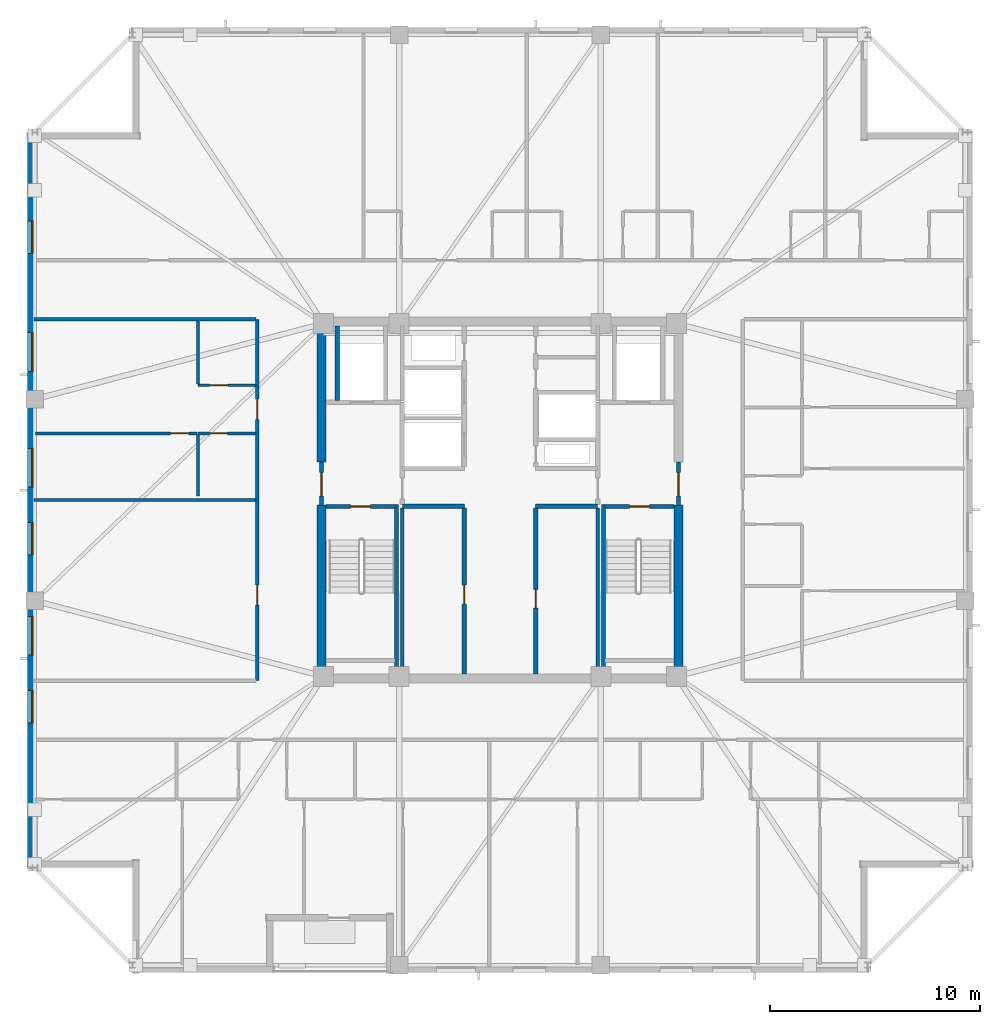
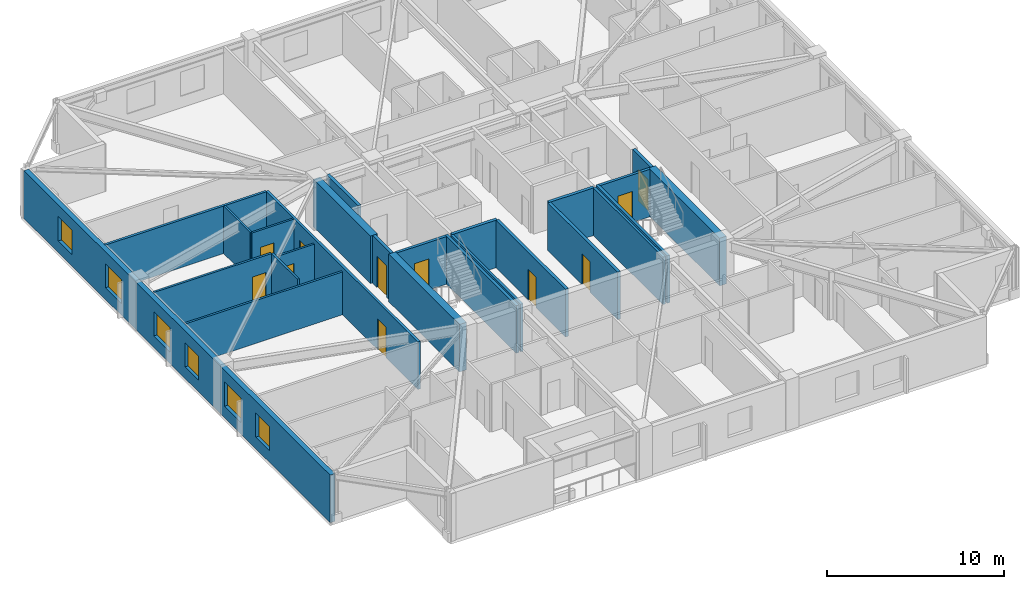
# One storey, part 8 of 15: 25 walls, 11 doors, 6 windows, 17 openings.
"""IFC4 building model written with IfcOpenShell, lengths in metres."""

from ifc_helpers import new_model, si_unit, direction, frame, frame_2d, origin, place, context, subcontext, project, spatial, rectangle, extrude, material, layer, layer_set, type_object, element, fill, save


model = new_model("IFC4")

# Units and contexts
model_context = context("Model", 3, precision=1e-05, world=origin(), true_north=direction((0.0, 1.0)))
body_context = subcontext(model_context, "Body", "Model", "MODEL_VIEW")
ifc_project = project(units=[si_unit("LENGTHUNIT", "METRE"), si_unit("AREAUNIT", "SQUARE_METRE"), si_unit("VOLUMEUNIT", "CUBIC_METRE"), si_unit("PLANEANGLEUNIT", "RADIAN"), si_unit("MASSUNIT", "GRAM", prefix="KILO")], contexts=[model_context])

# Site, building, storey
site_placement = place(None, origin())
site = spatial("IfcSite", under=ifc_project, at=site_placement, CompositionType="ELEMENT")
building_placement = place(site_placement, origin())
building = spatial("IfcBuilding", under=site, at=building_placement, Name="Cairnveth Concourse Tower", CompositionType="ELEMENT")
storey_placement = place(building_placement, frame((0.0, 0.0, 265.5)))
storey = spatial("IfcBuildingStorey", under=building, at=storey_placement, Name="L73", CompositionType="ELEMENT", Elevation=265.5)

# Walls
ifc_material_1 = material(Name="Gypsum Plasterboard Partition", Category="gypsum")
ifc_layer_1 = layer(ifc_material_1, 0.159912109375)
ifc_layer_set_1 = layer_set([ifc_layer_1], Name="Gypsum Plasterboard Partition")
wall_type_1 = type_object("IfcWallType", Name="ACOUSTIC PARTY WALL 180", PredefinedType="PARTITIONING", material=ifc_layer_set_1)
for number, where, z_axis, x_axis, name in (
    (1, (47.35009765625, 30.7099609375, 0.0), (0.0, 0.0, 1.0), (0.0, 1.0, 0.0), "Interior Wall IW-L73-025"),
    (2, (56.64990234375, 30.7099609375, 0.0), (0.0, 0.0, 1.0), (0.0, 1.0, 0.0), "Interior Wall IW-L73-026"),
):
    element("IfcWall", number, at=place(storey_placement, frame(where, z_axis=z_axis, x_axis=x_axis)), inside=storey, type_object=wall_type_1, Name=name, PredefinedType="PARTITIONING", context=body_context, shape_type="SweptSolid", body=[
        extrude(rectangle(XDim=7.905029296875, YDim=0.159912109375, at=frame_2d((3.95263671875, 0.0))), origin(), (0.0, 0.0, 1.0), 3.2900390625),
    ])

# Wall, openings, doors
wall_1_placement = place(storey_placement, frame((40.449951171875, 30.39990234375, 0.0), z_axis=(0.0, 0.0, 1.0), x_axis=(0.0, 1.0, 0.0)))
wall_1 = element("IfcWall", 3, at=wall_1_placement, inside=storey, type_object=wall_type_1, Name="Interior Wall IW-L73-036", PredefinedType="PARTITIONING", context=body_context, shape_type="SweptSolid", body=[
    extrude(rectangle(XDim=17.2001953125, YDim=0.159912109375, at=frame_2d((8.60009765625, 0.0))), origin(), (0.0, 0.0, 1.0), 3.2900390625),
])
opening_1_placement = place(wall_1_placement, frame((3.60009765625, 0.0, 0.0)))
opening_1 = element("IfcOpeningElement", 4, at=opening_1_placement, cuts=wall_1, Name="Opening ID11", PredefinedType="OPENING", context=body_context, shape_type="SweptSolid", body=[
    extrude(rectangle(XDim=0.9599609375, YDim=2.1201171875, at=frame_2d((0.47998046875, 1.06005859375))), frame((0.0, 0.08984375, 0.0), z_axis=(0.0, -1.0, 0.0), x_axis=(1.0, 0.0, 0.0)), (0.0, 0.0, 1.0), 0.179931640625),
])
opening_2_placement = place(wall_1_placement, frame((12.43994140625, 0.0, 0.0)))
opening_2 = element("IfcOpeningElement", 5, at=opening_2_placement, cuts=wall_1, Name="Opening ID10", PredefinedType="OPENING", context=body_context, shape_type="SweptSolid", body=[
    extrude(rectangle(XDim=0.9599609375, YDim=2.179931640625, at=frame_2d((0.47998046875, 1.08984375))), frame((0.0, 0.08984375, 0.0), z_axis=(0.0, -1.0, 0.0), x_axis=(1.0, 0.0, 0.0)), (0.0, 0.0, 1.0), 0.179931640625),
])
ifc_material_2 = material(Name="Solid Core Hardwood Timber Leaf", Category="wood")
door_type_1 = type_object("IfcDoorType", Name="FLAT ENTRANCE DOOR 960X2150", OperationType="NOTDEFINED", PredefinedType="DOOR", material=ifc_material_2)
door_1_placement = place(opening_2_placement, origin())
door_1 = element("IfcDoor", 6, at=door_1_placement, inside=storey, type_object=door_type_1, Name="Apartment L73W1 Entrance Door", OperationType="SINGLE_SWING_RIGHT", OverallHeight=2.179931640625, OverallWidth=0.9599609375, PredefinedType="DOOR", context=body_context, shape_type="SweptSolid", body=[
    extrude(rectangle(XDim=0.9599609375, YDim=2.179931640625, at=frame_2d((0.47998046875, 1.08984375))), frame((0.0, 0.02490234375, 0.0), z_axis=(0.0, -1.0, 0.0), x_axis=(1.0, 0.0, 0.0)), (0.0, 0.0, 1.0), 0.050048828125),
])
fill(opening_2, door_1)
door_type_2 = type_object("IfcDoorType", Name="INTERIOR SINGLE DOOR 960X2150", OperationType="NOTDEFINED", PredefinedType="DOOR", material=ifc_material_2)
door_2_placement = place(opening_1_placement, origin())
door_2 = element("IfcDoor", 7, at=door_2_placement, inside=storey, type_object=door_type_2, Name="Interior Door DR-L73-044", OperationType="SINGLE_SWING_RIGHT", OverallHeight=2.1201171875, OverallWidth=0.9599609375, PredefinedType="DOOR", context=body_context, shape_type="SweptSolid", body=[
    extrude(rectangle(XDim=0.9599609375, YDim=2.1201171875, at=frame_2d((0.47998046875, 1.06005859375))), frame((0.0, 0.02490234375, 0.0), z_axis=(0.0, -1.0, 0.0), x_axis=(1.0, 0.0, 0.0)), (0.0, 0.0, 1.0), 0.050048828125),
])
fill(opening_1, door_2)

# Walls
wall_2_placement = place(storey_placement, frame((29.804931640625, 47.60009765625, 0.0), z_axis=(0.0, 0.0, 1.0), x_axis=(1.0, 0.0, 0.0)))
element("IfcWall", 8, at=wall_2_placement, inside=storey, type_object=wall_type_1, Name="Interior Wall IW-L73-039", PredefinedType="PARTITIONING", context=body_context, shape_type="SweptSolid", body=[
    extrude(rectangle(XDim=10.580078125, YDim=0.159912109375, at=frame_2d((5.2900390625, 0.0))), origin(), (0.0, 0.0, 1.0), 3.2900390625),
])
ifc_material_3 = material(Name="Concrete N65 (65 MPa)", Category="concrete")
ifc_layer_2 = layer(ifc_material_3, 0.449951171875)
ifc_layer_set_2 = layer_set([ifc_layer_2], Name="Concrete N65 (65 MPa)")
wall_type_2 = type_object("IfcWallType", Name="CORE SHEAR WALL 450", PredefinedType="SHEAR", material=ifc_layer_set_2)
wall_3_placement = place(storey_placement, frame((43.5, 30.715087890625, 0.0), z_axis=(0.0, 0.0, 1.0), x_axis=(0.0, 1.0, 0.0)))
element("IfcWall", 9, at=wall_3_placement, inside=storey, type_object=wall_type_2, Name="Core West Shear Wall S L73", PredefinedType="SHEAR", context=body_context, shape_type="SweptSolid", body=[
    extrude(rectangle(XDim=8.034912109375, YDim=0.449951171875, at=frame_2d((4.017578125, 0.0))), origin(), (0.0, 0.0, 1.0), 3.2900390625),
])
wall_4_placement = place(storey_placement, frame((43.5, 40.800048828125, 0.0), z_axis=(0.0, 0.0, 1.0), x_axis=(0.0, 1.0, 0.0)))
element("IfcWall", 10, at=wall_4_placement, inside=storey, type_object=wall_type_2, Name="Core West Shear Wall N L73", PredefinedType="SHEAR", context=body_context, shape_type="SweptSolid", body=[
    extrude(rectangle(XDim=6.48486328125, YDim=0.449951171875, at=frame_2d((3.242431640625, 0.0))), origin(), (0.0, 0.0, 1.0), 3.2900390625),
])
wall_5_placement = place(storey_placement, frame((60.5, 30.715087890625, 0.0), z_axis=(0.0, 0.0, 1.0), x_axis=(0.0, 1.0, 0.0)))
element("IfcWall", 11, at=wall_5_placement, inside=storey, type_object=wall_type_2, Name="Core East Shear Wall S L73", PredefinedType="SHEAR", context=body_context, shape_type="SweptSolid", body=[
    extrude(rectangle(XDim=8.034912109375, YDim=0.449951171875, at=frame_2d((4.017578125, 0.0))), origin(), (0.0, 0.0, 1.0), 3.2900390625),
])

# Wall, opening, door
ifc_material_4 = material(Name="Concrete N50 (50 MPa)", Category="concrete")
ifc_layer_3 = layer(ifc_material_4, 0.179931640625)
ifc_layer_set_3 = layer_set([ifc_layer_3], Name="Concrete N50 (50 MPa)")
wall_type_3 = type_object("IfcWallType", Name="FIRE SHAFT WALL 180", PredefinedType="SOLIDWALL", material=ifc_layer_set_3)
wall_6_placement = place(storey_placement, frame((43.715087890625, 38.68994140625, 0.0), z_axis=(0.0, 0.0, 1.0), x_axis=(1.0, 0.0, 0.0)))
wall_6 = element("IfcWall", 12, at=wall_6_placement, inside=storey, type_object=wall_type_3, Name="Stair ST-1 Shaft Wall NEAR L73", PredefinedType="SOLIDWALL", context=body_context, shape_type="SweptSolid", body=[
    extrude(rectangle(XDim=3.280029296875, YDim=0.179931640625, at=frame_2d((1.64013671875, 0.0))), origin(), (0.0, 0.0, 1.0), 3.2900390625),
])
opening_3_placement = place(wall_6_placement, frame((1.1650390625, 0.0, 0.0)))
opening_3 = element("IfcOpeningElement", 13, at=opening_3_placement, cuts=wall_6, Name="Opening ID12", PredefinedType="OPENING", context=body_context, shape_type="SweptSolid", body=[
    extrude(rectangle(XDim=0.949951171875, YDim=2.14990234375, at=frame_2d((0.47509765625, 1.074951171875))), frame((0.0, 0.099853515625, 0.0), z_axis=(0.0, -1.0, 0.0), x_axis=(1.0, 0.0, 0.0)), (0.0, 0.0, 1.0), 0.199951171875),
])
ifc_material_5 = material(Name="Steel Grade 350", Category="steel")
door_type_3 = type_object("IfcDoorType", Name="FIRE STAIR DOOR 950X2150", OperationType="NOTDEFINED", PredefinedType="DOOR", material=ifc_material_5)
door_3_placement = place(opening_3_placement, origin())
door_3 = element("IfcDoor", 14, at=door_3_placement, inside=storey, type_object=door_type_3, Name="Stair ST-1 Fire Door L73", OperationType="SINGLE_SWING_LEFT", OverallHeight=2.14990234375, OverallWidth=0.949951171875, PredefinedType="DOOR", context=body_context, shape_type="SweptSolid", body=[
    extrude(rectangle(XDim=0.949951171875, YDim=2.14990234375, at=frame_2d((0.47509765625, 1.074951171875))), frame((0.0, 0.02490234375, 0.0), z_axis=(0.0, -1.0, 0.0), x_axis=(1.0, 0.0, 0.0)), (0.0, 0.0, 1.0), 0.050048828125),
])
fill(opening_3, door_3)

# Wall
wall_7_placement = place(storey_placement, frame((47.070068359375, 38.780029296875, 0.0), z_axis=(0.0, 0.0, 1.0), x_axis=(0.0, -1.0, 0.0)))
element("IfcWall", 15, at=wall_7_placement, inside=storey, type_object=wall_type_3, Name="Stair ST-1 Shaft Wall RGHT L73", PredefinedType="SOLIDWALL", context=body_context, shape_type="SweptSolid", body=[
    extrude(rectangle(XDim=8.067138671875, YDim=0.179931640625, at=frame_2d((4.03369140625, 0.0))), origin(), (0.0, 0.0, 1.0), 3.2900390625),
])

# Wall, opening, door
wall_8_placement = place(storey_placement, frame((57.0048828125, 38.68994140625, 0.0), z_axis=(0.0, 0.0, 1.0), x_axis=(1.0, 0.0, 0.0)))
wall_8 = element("IfcWall", 16, at=wall_8_placement, inside=storey, type_object=wall_type_3, Name="Stair ST-2 Shaft Wall NEAR L73", PredefinedType="SOLIDWALL", context=body_context, shape_type="SweptSolid", body=[
    extrude(rectangle(XDim=3.280029296875, YDim=0.179931640625, at=frame_2d((1.64013671875, 0.0))), origin(), (0.0, 0.0, 1.0), 3.2900390625),
])
opening_4_placement = place(wall_8_placement, frame((1.1650390625, 0.0, 0.0)))
opening_4 = element("IfcOpeningElement", 17, at=opening_4_placement, cuts=wall_8, Name="Opening ID12", PredefinedType="OPENING", context=body_context, shape_type="SweptSolid", body=[
    extrude(rectangle(XDim=0.949951171875, YDim=2.14990234375, at=frame_2d((0.47509765625, 1.074951171875))), frame((0.0, 0.099853515625, 0.0), z_axis=(0.0, -1.0, 0.0), x_axis=(1.0, 0.0, 0.0)), (0.0, 0.0, 1.0), 0.199951171875),
])
door_4_placement = place(opening_4_placement, origin())
door_4 = element("IfcDoor", 18, at=door_4_placement, inside=storey, type_object=door_type_3, Name="Stair ST-2 Fire Door L73", OperationType="SINGLE_SWING_RIGHT", OverallHeight=2.14990234375, OverallWidth=0.949951171875, PredefinedType="DOOR", context=body_context, shape_type="SweptSolid", body=[
    extrude(rectangle(XDim=0.949951171875, YDim=2.14990234375, at=frame_2d((0.47509765625, 1.074951171875))), frame((0.0, 0.02490234375, 0.0), z_axis=(0.0, -1.0, 0.0), x_axis=(1.0, 0.0, 0.0)), (0.0, 0.0, 1.0), 0.050048828125),
])
fill(opening_4, door_4)

# Walls
wall_9_placement = place(storey_placement, frame((56.929931640625, 38.780029296875, 0.0), z_axis=(0.0, 0.0, 1.0), x_axis=(0.0, -1.0, 0.0)))
element("IfcWall", 19, at=wall_9_placement, inside=storey, type_object=wall_type_3, Name="Stair ST-2 Shaft Wall LEFT L73", PredefinedType="SOLIDWALL", context=body_context, shape_type="SweptSolid", body=[
    extrude(rectangle(XDim=8.067138671875, YDim=0.179931640625, at=frame_2d((4.03369140625, 0.0))), origin(), (0.0, 0.0, 1.0), 3.2900390625),
])
ifc_layer_4 = layer(ifc_material_4, 0.199951171875)
ifc_layer_set_4 = layer_set([ifc_layer_4], Name="Concrete N50 (50 MPa)")
wall_type_4 = type_object("IfcWallType", Name="FIRE SHAFT WALL 200", PredefinedType="SOLIDWALL", material=ifc_layer_set_4)
for number, where, z_axis, x_axis, name in (
    (20, (47.35009765625, 38.699951171875, 0.0), (0.0, 0.0, 1.0), (1.0, 0.0, 0.0), "Interior Wall IW-L73-007"),
    (21, (53.699951171875, 38.699951171875, 0.0), (0.0, 0.0, 1.0), (1.0, 0.0, 0.0), "Interior Wall IW-L73-009"),
):
    element("IfcWall", number, at=place(storey_placement, frame(where, z_axis=z_axis, x_axis=x_axis)), inside=storey, type_object=wall_type_4, Name=name, PredefinedType="SOLIDWALL", context=body_context, shape_type="SweptSolid", body=[
        extrude(rectangle(XDim=2.949951171875, YDim=0.199951171875, at=frame_2d((1.47509765625, 0.0))), origin(), (0.0, 0.0, 1.0), 3.2900390625),
    ])

# Wall, opening, door
wall_10_placement = place(storey_placement, frame((50.300048828125, 30.7099609375, 0.0), z_axis=(0.0, 0.0, 1.0), x_axis=(0.0, 1.0, 0.0)))
wall_10 = element("IfcWall", 22, at=wall_10_placement, inside=storey, type_object=wall_type_4, Name="Interior Wall IW-L73-011", PredefinedType="SOLIDWALL", context=body_context, shape_type="SweptSolid", body=[
    extrude(rectangle(XDim=7.905029296875, YDim=0.199951171875, at=frame_2d((3.95263671875, 0.0))), origin(), (0.0, 0.0, 1.0), 3.2900390625),
])
opening_5_placement = place(wall_10_placement, frame((3.340087890625, 0.0, 0.0)))
opening_5 = element("IfcOpeningElement", 23, at=opening_5_placement, cuts=wall_10, Name="Opening ID16", PredefinedType="OPENING", context=body_context, shape_type="SweptSolid", body=[
    extrude(rectangle(XDim=0.89990234375, YDim=2.1201171875, at=frame_2d((0.449951171875, 1.06005859375))), frame((0.0, 0.10986328125, 0.0), z_axis=(0.0, -1.0, 0.0), x_axis=(1.0, 0.0, 0.0)), (0.0, 0.0, 1.0), 0.219970703125),
])
door_type_4 = type_object("IfcDoorType", Name="CORE SERVICE DOOR 900X2100", OperationType="NOTDEFINED", PredefinedType="DOOR", material=ifc_material_5)
door_5_placement = place(opening_5_placement, origin())
door_5 = element("IfcDoor", 24, at=door_5_placement, inside=storey, type_object=door_type_4, Name="Linen Pantry Suite Door L73", OperationType="SINGLE_SWING_LEFT", OverallHeight=2.1201171875, OverallWidth=0.89990234375, PredefinedType="DOOR", context=body_context, shape_type="SweptSolid", body=[
    extrude(rectangle(XDim=0.89990234375, YDim=2.1201171875, at=frame_2d((0.449951171875, 1.06005859375))), frame((0.0, 0.02490234375, 0.0), z_axis=(0.0, -1.0, 0.0), x_axis=(1.0, 0.0, 0.0)), (0.0, 0.0, 1.0), 0.050048828125),
])
fill(opening_5, door_5)

wall_11_placement = place(storey_placement, frame((53.699951171875, 30.7099609375, 0.0), z_axis=(0.0, 0.0, 1.0), x_axis=(0.0, 1.0, 0.0)))
wall_11 = element("IfcWall", 25, at=wall_11_placement, inside=storey, type_object=wall_type_4, Name="Interior Wall IW-L73-012", PredefinedType="SOLIDWALL", context=body_context, shape_type="SweptSolid", body=[
    extrude(rectangle(XDim=7.905029296875, YDim=0.199951171875, at=frame_2d((3.95263671875, 0.0))), origin(), (0.0, 0.0, 1.0), 3.2900390625),
])
opening_6_placement = place(wall_11_placement, frame((3.139892578125, 0.0, 0.0)))
opening_6 = element("IfcOpeningElement", 26, at=opening_6_placement, cuts=wall_11, Name="Opening ID16", PredefinedType="OPENING", context=body_context, shape_type="SweptSolid", body=[
    extrude(rectangle(XDim=0.89990234375, YDim=2.1201171875, at=frame_2d((0.449951171875, 1.06005859375))), frame((0.0, 0.10986328125, 0.0), z_axis=(0.0, -1.0, 0.0), x_axis=(1.0, 0.0, 0.0)), (0.0, 0.0, 1.0), 0.219970703125),
])
door_6_placement = place(opening_6_placement, origin())
door_6 = element("IfcDoor", 27, at=door_6_placement, inside=storey, type_object=door_type_4, Name="Sky Pantry Door L73", OperationType="SINGLE_SWING_RIGHT", OverallHeight=2.1201171875, OverallWidth=0.89990234375, PredefinedType="DOOR", context=body_context, shape_type="SweptSolid", body=[
    extrude(rectangle(XDim=0.89990234375, YDim=2.1201171875, at=frame_2d((0.449951171875, 1.06005859375))), frame((0.0, 0.02490234375, 0.0), z_axis=(0.0, -1.0, 0.0), x_axis=(1.0, 0.0, 0.0)), (0.0, 0.0, 1.0), 0.050048828125),
])
fill(opening_6, door_6)

wall_12_placement = place(storey_placement, frame((43.5, 38.75, 0.0), z_axis=(0.0, 0.0, 1.0), x_axis=(0.0, 1.0, 0.0)))
wall_12 = element("IfcWall", 28, at=wall_12_placement, inside=storey, type_object=wall_type_4, Name="Interior Wall IW-L73-015", PredefinedType="SOLIDWALL", context=body_context, shape_type="SweptSolid", body=[
    extrude(rectangle(XDim=2.050048828125, YDim=0.199951171875, at=frame_2d((1.02490234375, 0.0))), origin(), (0.0, 0.0, 1.0), 3.2900390625),
])
opening_7_placement = place(wall_12_placement, frame((0.449951171875, 0.0, 0.0)))
opening_7 = element("IfcOpeningElement", 29, at=opening_7_placement, cuts=wall_12, Name="Opening ID06", PredefinedType="OPENING", context=body_context, shape_type="SweptSolid", body=[
    extrude(rectangle(XDim=1.10009765625, YDim=2.14990234375, at=frame_2d((0.550048828125, 1.074951171875))), frame((0.0, 0.10986328125, 0.0), z_axis=(0.0, -1.0, 0.0), x_axis=(1.0, 0.0, 0.0)), (0.0, 0.0, 1.0), 0.219970703125),
])
door_type_5 = type_object("IfcDoorType", Name="FIRE CORRIDOR DOOR 1100X2150", OperationType="NOTDEFINED", PredefinedType="DOOR", material=ifc_material_5)
door_7_placement = place(opening_7_placement, origin())
door_7 = element("IfcDoor", 30, at=door_7_placement, inside=storey, type_object=door_type_5, Name="West Wing to FF Lobby Door L73", OperationType="SINGLE_SWING_LEFT", OverallHeight=2.14990234375, OverallWidth=1.10009765625, PredefinedType="DOOR", context=body_context, shape_type="SweptSolid", body=[
    extrude(rectangle(XDim=1.10009765625, YDim=2.14990234375, at=frame_2d((0.550048828125, 1.074951171875))), frame((0.0, 0.02490234375, 0.0), z_axis=(0.0, -1.0, 0.0), x_axis=(1.0, 0.0, 0.0)), (0.0, 0.0, 1.0), 0.050048828125),
])
fill(opening_7, door_7)

# Wall
wall_13_placement = place(storey_placement, frame((44.25, 43.735107421875, 0.0), z_axis=(0.0, 0.0, 1.0), x_axis=(0.0, 1.0, 0.0)))
element("IfcWall", 31, at=wall_13_placement, inside=storey, type_object=wall_type_4, Name="Interior Wall IW-L73-019", PredefinedType="SOLIDWALL", context=body_context, shape_type="SweptSolid", body=[
    extrude(rectangle(XDim=3.554931640625, YDim=0.199951171875, at=frame_2d((1.77734375, 0.0))), origin(), (0.0, 0.0, 1.0), 3.2900390625),
])

# Wall, opening, door
wall_14_placement = place(storey_placement, frame((60.5, 38.75, 0.0), z_axis=(0.0, 0.0, 1.0), x_axis=(0.0, 1.0, 0.0)))
wall_14 = element("IfcWall", 32, at=wall_14_placement, inside=storey, type_object=wall_type_4, Name="Interior Wall IW-L73-020", PredefinedType="SOLIDWALL", context=body_context, shape_type="SweptSolid", body=[
    extrude(rectangle(XDim=2.050048828125, YDim=0.199951171875, at=frame_2d((1.02490234375, 0.0))), origin(), (0.0, 0.0, 1.0), 3.2900390625),
])
opening_8_placement = place(wall_14_placement, frame((0.449951171875, 0.0, 0.0)))
opening_8 = element("IfcOpeningElement", 33, at=opening_8_placement, cuts=wall_14, Name="Opening ID06", PredefinedType="OPENING", context=body_context, shape_type="SweptSolid", body=[
    extrude(rectangle(XDim=1.10009765625, YDim=2.14990234375, at=frame_2d((0.550048828125, 1.074951171875))), frame((0.0, 0.10986328125, 0.0), z_axis=(0.0, -1.0, 0.0), x_axis=(1.0, 0.0, 0.0)), (0.0, 0.0, 1.0), 0.219970703125),
])
door_8_placement = place(opening_8_placement, origin())
door_8 = element("IfcDoor", 34, at=door_8_placement, inside=storey, type_object=door_type_5, Name="East Wing to FF Lobby Door L73", OperationType="SINGLE_SWING_RIGHT", OverallHeight=2.14990234375, OverallWidth=1.10009765625, PredefinedType="DOOR", context=body_context, shape_type="SweptSolid", body=[
    extrude(rectangle(XDim=1.10009765625, YDim=2.14990234375, at=frame_2d((0.550048828125, 1.074951171875))), frame((0.0, 0.02490234375, 0.0), z_axis=(0.0, -1.0, 0.0), x_axis=(1.0, 0.0, 0.0)), (0.0, 0.0, 1.0), 0.050048828125),
])
fill(opening_8, door_8)

# Wall
ifc_layer_5 = layer(ifc_material_1, 0.139892578125)
ifc_layer_set_5 = layer_set([ifc_layer_5], Name="Gypsum Plasterboard Partition")
wall_type_5 = type_object("IfcWallType", Name="GYPSUM STUD PARTITION 140", PredefinedType="PARTITIONING", material=ifc_layer_set_5)
wall_15_placement = place(storey_placement, frame((29.804931640625, 39.0, 0.0), z_axis=(0.0, 0.0, 1.0), x_axis=(1.0, 0.0, 0.0)))
element("IfcWall", 35, at=wall_15_placement, inside=storey, type_object=wall_type_5, Name="Interior Wall IW-L73-085", PredefinedType="PARTITIONING", context=body_context, shape_type="SweptSolid", body=[
    extrude(rectangle(XDim=10.565185546875, YDim=0.139892578125, at=frame_2d((5.28271484375, 0.0))), origin(), (0.0, 0.0, 1.0), 2.9580078125),
])

# Wall, opening, door
wall_16_placement = place(storey_placement, frame((29.8798828125, 42.169921875, 0.0), z_axis=(0.0, 0.0, 1.0), x_axis=(1.0, 0.0, 0.0)))
wall_16 = element("IfcWall", 36, at=wall_16_placement, inside=storey, type_object=wall_type_5, Name="Interior Wall IW-L73-090", PredefinedType="PARTITIONING", context=body_context, shape_type="SweptSolid", body=[
    extrude(rectangle(XDim=7.690185546875, YDim=0.139892578125, at=frame_2d((3.84521484375, 0.0))), origin(), (0.0, 0.0, 1.0), 3.2900390625),
])
opening_9_placement = place(wall_16_placement, frame((6.429931640625, 0.0, 0.0)))
opening_9 = element("IfcOpeningElement", 37, at=opening_9_placement, cuts=wall_16, Name="Opening ID18", PredefinedType="OPENING", context=body_context, shape_type="SweptSolid", body=[
    extrude(rectangle(XDim=0.8798828125, YDim=2.10009765625, at=frame_2d((0.43994140625, 1.050048828125))), frame((0.0, 0.079833984375, 0.0), z_axis=(0.0, -1.0, 0.0), x_axis=(1.0, 0.0, 0.0)), (0.0, 0.0, 1.0), 0.159912109375),
])
door_type_6 = type_object("IfcDoorType", Name="INTERIOR SINGLE DOOR 880X2100", OperationType="NOTDEFINED", PredefinedType="DOOR", material=ifc_material_2)
door_9_placement = place(opening_9_placement, origin())
door_9 = element("IfcDoor", 38, at=door_9_placement, inside=storey, type_object=door_type_6, Name="L73W1 Master Bedroom Door", OperationType="SINGLE_SWING_LEFT", OverallHeight=2.10009765625, OverallWidth=0.8798828125, PredefinedType="DOOR", context=body_context, shape_type="SweptSolid", body=[
    extrude(rectangle(XDim=0.8798828125, YDim=2.10009765625, at=frame_2d((0.43994140625, 1.050048828125))), frame((0.0, 0.02490234375, 0.0), z_axis=(0.0, -1.0, 0.0), x_axis=(1.0, 0.0, 0.0)), (0.0, 0.0, 1.0), 0.050048828125),
])
fill(opening_9, door_9)

ifc_layer_6 = layer(ifc_material_1, 0.1298828125)
ifc_layer_set_6 = layer_set([ifc_layer_6], Name="Gypsum Plasterboard Partition")
wall_type_6 = type_object("IfcWallType", Name="WET AREA PARTITION 140", PredefinedType="PLUMBINGWALL", material=ifc_layer_set_6)
wall_17_placement = place(storey_placement, frame((37.6201171875, 42.169921875, 0.0), z_axis=(0.0, 0.0, 1.0), x_axis=(1.0, 0.0, 0.0)))
wall_17 = element("IfcWall", 39, at=wall_17_placement, inside=storey, type_object=wall_type_6, Name="Interior Wall IW-L73-086", PredefinedType="PLUMBINGWALL", context=body_context, shape_type="SweptSolid", body=[
    extrude(rectangle(XDim=2.75, YDim=0.1298828125, at=frame_2d((1.375, 0.0))), origin(), (0.0, 0.0, 1.0), 2.9580078125),
])
opening_10_placement = place(wall_17_placement, frame((0.550048828125, 0.0, 0.0)))
opening_10 = element("IfcOpeningElement", 40, at=opening_10_placement, cuts=wall_17, Name="Opening ID21", PredefinedType="OPENING", context=body_context, shape_type="SweptSolid", body=[
    extrude(rectangle(XDim=0.85009765625, YDim=2.080078125, at=frame_2d((0.425048828125, 1.0400390625))), frame((0.0, 0.074951171875, 0.0), z_axis=(0.0, -1.0, 0.0), x_axis=(1.0, 0.0, 0.0)), (0.0, 0.0, 1.0), 0.14990234375),
])
door_type_7 = type_object("IfcDoorType", Name="INTERIOR WC DOOR 850X2100", OperationType="NOTDEFINED", PredefinedType="DOOR", material=ifc_material_2)
door_10_placement = place(opening_10_placement, origin())
door_10 = element("IfcDoor", 41, at=door_10_placement, inside=storey, type_object=door_type_7, Name="L73W1 Bathroom Door", OperationType="SINGLE_SWING_LEFT", OverallHeight=2.080078125, OverallWidth=0.85009765625, PredefinedType="DOOR", context=body_context, shape_type="SweptSolid", body=[
    extrude(rectangle(XDim=0.85009765625, YDim=2.080078125, at=frame_2d((0.425048828125, 1.0400390625))), frame((0.0, 0.02490234375, 0.0), z_axis=(0.0, -1.0, 0.0), x_axis=(1.0, 0.0, 0.0)), (0.0, 0.0, 1.0), 0.050048828125),
])
fill(opening_10, door_10)

# Wall
wall_18_placement = place(storey_placement, frame((37.6201171875, 39.179931640625, 0.0), z_axis=(0.0, 0.0, 1.0), x_axis=(0.0, 1.0, 0.0)))
element("IfcWall", 42, at=wall_18_placement, inside=storey, type_object=wall_type_6, Name="Interior Wall IW-L73-087", PredefinedType="PLUMBINGWALL", context=body_context, shape_type="SweptSolid", body=[
    extrude(rectangle(XDim=2.940185546875, YDim=0.1298828125, at=frame_2d((1.47021484375, 0.0))), origin(), (0.0, 0.0, 1.0), 3.2900390625),
])

# Wall, opening, door
wall_19_placement = place(storey_placement, frame((37.6201171875, 44.469970703125, 0.0), z_axis=(0.0, 0.0, 1.0), x_axis=(1.0, 0.0, 0.0)))
wall_19 = element("IfcWall", 43, at=wall_19_placement, inside=storey, type_object=wall_type_6, Name="Interior Wall IW-L73-088", PredefinedType="PLUMBINGWALL", context=body_context, shape_type="SweptSolid", body=[
    extrude(rectangle(XDim=2.75, YDim=0.1298828125, at=frame_2d((1.375, 0.0))), origin(), (0.0, 0.0, 1.0), 3.2900390625),
])
opening_11_placement = place(wall_19_placement, frame((0.550048828125, 0.0, 0.0)))
opening_11 = element("IfcOpeningElement", 44, at=opening_11_placement, cuts=wall_19, Name="Opening ID18", PredefinedType="OPENING", context=body_context, shape_type="SweptSolid", body=[
    extrude(rectangle(XDim=0.8798828125, YDim=2.10009765625, at=frame_2d((0.43994140625, 1.050048828125))), frame((0.0, 0.074951171875, 0.0), z_axis=(0.0, -1.0, 0.0), x_axis=(1.0, 0.0, 0.0)), (0.0, 0.0, 1.0), 0.14990234375),
])
door_11_placement = place(opening_11_placement, origin())
door_11 = element("IfcDoor", 45, at=door_11_placement, inside=storey, type_object=door_type_6, Name="L73W1 Kitchen Door", OperationType="SINGLE_SWING_RIGHT", OverallHeight=2.10009765625, OverallWidth=0.8798828125, PredefinedType="DOOR", context=body_context, shape_type="SweptSolid", body=[
    extrude(rectangle(XDim=0.8798828125, YDim=2.10009765625, at=frame_2d((0.43994140625, 1.050048828125))), frame((0.0, 0.02490234375, 0.0), z_axis=(0.0, -1.0, 0.0), x_axis=(1.0, 0.0, 0.0)), (0.0, 0.0, 1.0), 0.050048828125),
])
fill(opening_11, door_11)

# Wall
wall_20_placement = place(storey_placement, frame((37.6201171875, 44.52001953125, 0.0), z_axis=(0.0, 0.0, 1.0), x_axis=(0.0, 1.0, 0.0)))
element("IfcWall", 46, at=wall_20_placement, inside=storey, type_object=wall_type_6, Name="Interior Wall IW-L73-089", PredefinedType="PLUMBINGWALL", context=body_context, shape_type="SweptSolid", body=[
    extrude(rectangle(XDim=3.014892578125, YDim=0.1298828125, at=frame_2d((1.50732421875, 0.0))), origin(), (0.0, 0.0, 1.0), 3.2900390625),
])

# Wall, openings, windows
ifc_material_6 = material(Name="Melbourne Buff Fired Clay Brick Masonry", Category="masonry")
ifc_layer_7 = layer(ifc_material_6, 0.320068359375)
ifc_layer_set_7 = layer_set([ifc_layer_7], Name="Melbourne Buff Fired Clay Brick Masonry")
wall_type_7 = type_object("IfcWallType", Name="ZONE 3 BRICK PIER SPANDREL WALL 320", PredefinedType="SOLIDWALL", material=ifc_layer_set_7)
wall_21_placement = place(storey_placement, frame((29.659912109375, 21.5, 0.0), z_axis=(0.0, 0.0, 1.0), x_axis=(0.0, 1.0, 0.0)))
wall_21 = element("IfcWall", 47, at=wall_21_placement, inside=storey, type_object=wall_type_7, Name="Exterior Wall EW-L73-S03", PredefinedType="SOLIDWALL", context=body_context, shape_type="SweptSolid", body=[
    extrude(rectangle(XDim=34.701904296875, YDim=0.320068359375, at=frame_2d((17.35107421875, 0.0))), origin(), (0.0, 0.0, 1.0), 3.2900390625),
])
opening_12_placement = place(wall_21_placement, frame((6.887939453125, 0.0, 0.800048828125)))
opening_12 = element("IfcOpeningElement", 48, at=opening_12_placement, cuts=wall_21, Name="Opening W07", PredefinedType="OPENING", context=body_context, shape_type="SweptSolid", body=[
    extrude(rectangle(XDim=1.550048828125, YDim=1.677978515625, at=frame_2d((0.77490234375, 0.8388671875))), frame((0.0, 0.169921875, 0.0), z_axis=(0.0, -1.0, 0.0), x_axis=(1.0, 0.0, 0.0)), (0.0, 0.0, 1.0), 0.340087890625),
])
opening_13_placement = place(wall_21_placement, frame((10.113037109375, 0.0, 0.800048828125)))
opening_13 = element("IfcOpeningElement", 49, at=opening_13_placement, cuts=wall_21, Name="Opening W08", PredefinedType="OPENING", context=body_context, shape_type="SweptSolid", body=[
    extrude(rectangle(XDim=1.85009765625, YDim=1.677978515625, at=frame_2d((0.925048828125, 0.8388671875))), frame((0.0, 0.169921875, 0.0), z_axis=(0.0, -1.0, 0.0), x_axis=(1.0, 0.0, 0.0)), (0.0, 0.0, 1.0), 0.340087890625),
])
opening_14_placement = place(wall_21_placement, frame((14.888427734375, 0.0, 0.800048828125)))
opening_14 = element("IfcOpeningElement", 50, at=opening_14_placement, cuts=wall_21, Name="Opening W07", PredefinedType="OPENING", context=body_context, shape_type="SweptSolid", body=[
    extrude(rectangle(XDim=1.550048828125, YDim=1.677978515625, at=frame_2d((0.77490234375, 0.8388671875))), frame((0.0, 0.169921875, 0.0), z_axis=(0.0, -1.0, 0.0), x_axis=(1.0, 0.0, 0.0)), (0.0, 0.0, 1.0), 0.340087890625),
])
opening_15_placement = place(wall_21_placement, frame((18.113525390625, 0.0, 0.800048828125)))
opening_15 = element("IfcOpeningElement", 51, at=opening_15_placement, cuts=wall_21, Name="Opening W08", PredefinedType="OPENING", context=body_context, shape_type="SweptSolid", body=[
    extrude(rectangle(XDim=1.85009765625, YDim=1.677978515625, at=frame_2d((0.925048828125, 0.8388671875))), frame((0.0, 0.169921875, 0.0), z_axis=(0.0, -1.0, 0.0), x_axis=(1.0, 0.0, 0.0)), (0.0, 0.0, 1.0), 0.340087890625),
])
opening_16_placement = place(wall_21_placement, frame((23.614013671875, 0.0, 0.800048828125)))
opening_16 = element("IfcOpeningElement", 52, at=opening_16_placement, cuts=wall_21, Name="Opening W08", PredefinedType="OPENING", context=body_context, shape_type="SweptSolid", body=[
    extrude(rectangle(XDim=1.85009765625, YDim=1.677978515625, at=frame_2d((0.925048828125, 0.8388671875))), frame((0.0, 0.169921875, 0.0), z_axis=(0.0, -1.0, 0.0), x_axis=(1.0, 0.0, 0.0)), (0.0, 0.0, 1.0), 0.340087890625),
])
opening_17_placement = place(wall_21_placement, frame((29.239501953125, 0.0, 0.800048828125)))
opening_17 = element("IfcOpeningElement", 53, at=opening_17_placement, cuts=wall_21, Name="Opening W07", PredefinedType="OPENING", context=body_context, shape_type="SweptSolid", body=[
    extrude(rectangle(XDim=1.550048828125, YDim=1.677978515625, at=frame_2d((0.77490234375, 0.8388671875))), frame((0.0, 0.169921875, 0.0), z_axis=(0.0, -1.0, 0.0), x_axis=(1.0, 0.0, 0.0)), (0.0, 0.0, 1.0), 0.340087890625),
])
ifc_material_7 = material(Name="Double Glazed Low-E Clear Glass", Category="glass")
window_type_1 = type_object("IfcWindowType", Name="DEEP-SET APARTMENT LIVING WINDOW 1850X1850", PartitioningType="DOUBLE_PANEL_VERTICAL", PredefinedType="WINDOW", material=ifc_material_7)
window_1_placement = place(opening_13_placement, origin())
window_1 = element("IfcWindow", 54, at=window_1_placement, inside=storey, type_object=window_type_1, Name="Gothic Lancet Window L73-3-3", OverallHeight=1.677978515625, OverallWidth=1.85009765625, PartitioningType="SINGLE_PANEL", PredefinedType="WINDOW", context=body_context, shape_type="SweptSolid", body=[
    extrude(rectangle(XDim=1.85009765625, YDim=1.677978515625, at=frame_2d((0.925048828125, 0.8388671875))), frame((0.0, -0.050048828125, 0.0), z_axis=(0.0, -1.0, 0.0), x_axis=(1.0, 0.0, 0.0)), (0.0, 0.0, 1.0), 0.06005859375),
])
fill(opening_13, window_1)
window_2_placement = place(opening_15_placement, origin())
window_2 = element("IfcWindow", 55, at=window_2_placement, inside=storey, type_object=window_type_1, Name="Gothic Lancet Window L73-3-5", OverallHeight=1.677978515625, OverallWidth=1.85009765625, PartitioningType="SINGLE_PANEL", PredefinedType="WINDOW", context=body_context, shape_type="SweptSolid", body=[
    extrude(rectangle(XDim=1.85009765625, YDim=1.677978515625, at=frame_2d((0.925048828125, 0.8388671875))), frame((0.0, -0.050048828125, 0.0), z_axis=(0.0, -1.0, 0.0), x_axis=(1.0, 0.0, 0.0)), (0.0, 0.0, 1.0), 0.06005859375),
])
fill(opening_15, window_2)
window_3_placement = place(opening_16_placement, origin())
window_3 = element("IfcWindow", 56, at=window_3_placement, inside=storey, type_object=window_type_1, Name="Gothic Lancet Window L73-3-7", OverallHeight=1.677978515625, OverallWidth=1.85009765625, PartitioningType="SINGLE_PANEL", PredefinedType="WINDOW", context=body_context, shape_type="SweptSolid", body=[
    extrude(rectangle(XDim=1.85009765625, YDim=1.677978515625, at=frame_2d((0.925048828125, 0.8388671875))), frame((0.0, -0.050048828125, 0.0), z_axis=(0.0, -1.0, 0.0), x_axis=(1.0, 0.0, 0.0)), (0.0, 0.0, 1.0), 0.06005859375),
])
fill(opening_16, window_3)
window_type_2 = type_object("IfcWindowType", Name="DEEP-SET APARTMENT WINDOW 1550X1800", PartitioningType="DOUBLE_PANEL_VERTICAL", PredefinedType="WINDOW", material=ifc_material_7)
window_4_placement = place(opening_12_placement, origin())
window_4 = element("IfcWindow", 57, at=window_4_placement, inside=storey, type_object=window_type_2, Name="Gothic Lancet Window L73-3-2", OverallHeight=1.677978515625, OverallWidth=1.550048828125, PartitioningType="SINGLE_PANEL", PredefinedType="WINDOW", context=body_context, shape_type="SweptSolid", body=[
    extrude(rectangle(XDim=1.550048828125, YDim=1.677978515625, at=frame_2d((0.77490234375, 0.8388671875))), frame((0.0, -0.050048828125, 0.0), z_axis=(0.0, -1.0, 0.0), x_axis=(1.0, 0.0, 0.0)), (0.0, 0.0, 1.0), 0.06005859375),
])
fill(opening_12, window_4)
window_5_placement = place(opening_14_placement, origin())
window_5 = element("IfcWindow", 58, at=window_5_placement, inside=storey, type_object=window_type_2, Name="Gothic Lancet Window L73-3-4", OverallHeight=1.677978515625, OverallWidth=1.550048828125, PartitioningType="SINGLE_PANEL", PredefinedType="WINDOW", context=body_context, shape_type="SweptSolid", body=[
    extrude(rectangle(XDim=1.550048828125, YDim=1.677978515625, at=frame_2d((0.77490234375, 0.8388671875))), frame((0.0, -0.050048828125, 0.0), z_axis=(0.0, -1.0, 0.0), x_axis=(1.0, 0.0, 0.0)), (0.0, 0.0, 1.0), 0.06005859375),
])
fill(opening_14, window_5)
window_6_placement = place(opening_17_placement, origin())
window_6 = element("IfcWindow", 59, at=window_6_placement, inside=storey, type_object=window_type_2, Name="Gothic Lancet Window L73-3-8", OverallHeight=1.677978515625, OverallWidth=1.550048828125, PartitioningType="SINGLE_PANEL", PredefinedType="WINDOW", context=body_context, shape_type="SweptSolid", body=[
    extrude(rectangle(XDim=1.550048828125, YDim=1.677978515625, at=frame_2d((0.77490234375, 0.8388671875))), frame((0.0, -0.050048828125, 0.0), z_axis=(0.0, -1.0, 0.0), x_axis=(1.0, 0.0, 0.0)), (0.0, 0.0, 1.0), 0.06005859375),
])
fill(opening_17, window_6)

save(model, "model.ifc")
